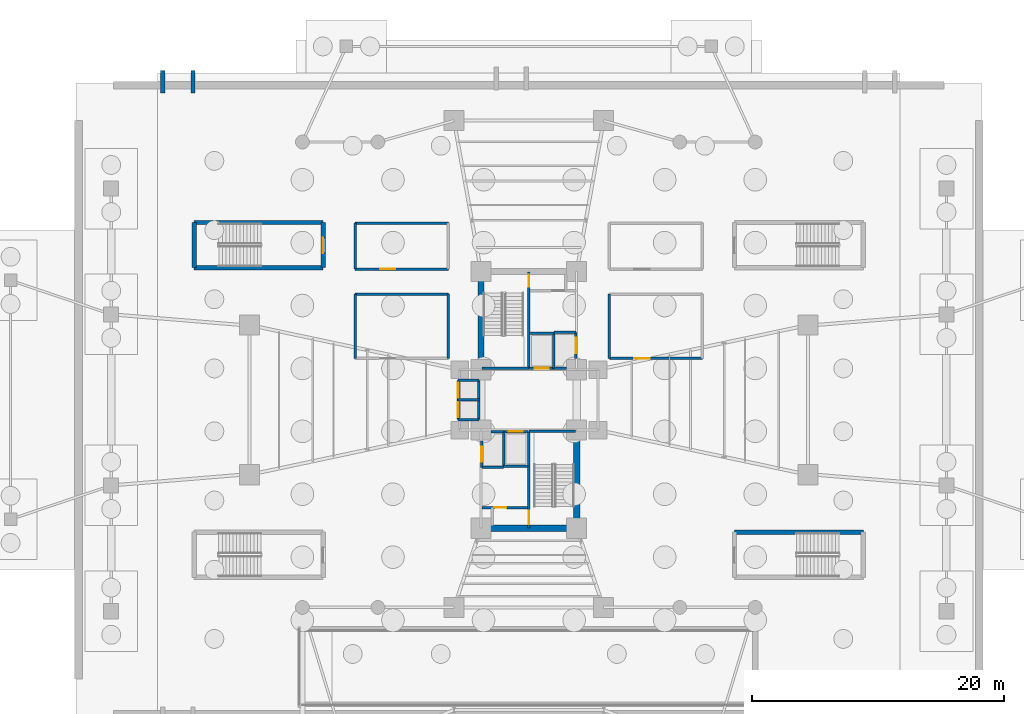
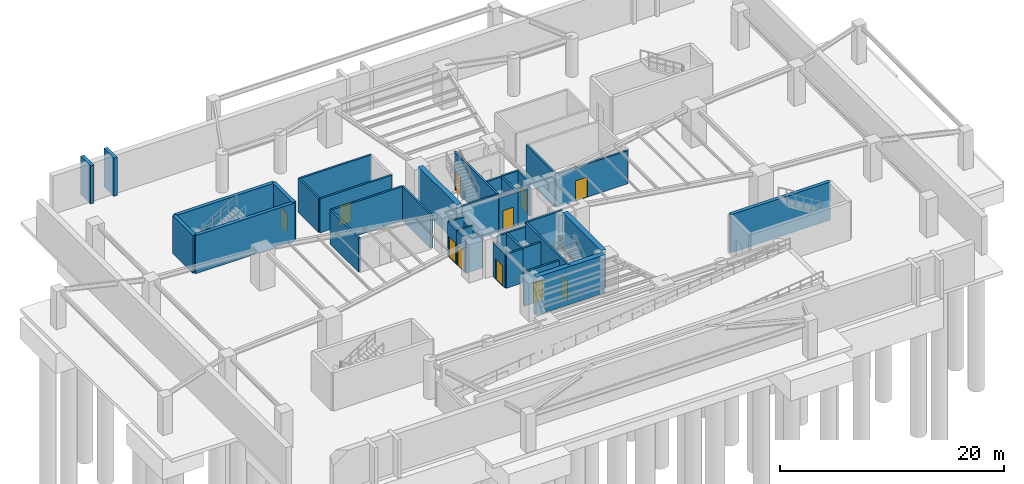
# One storey, part 8 of 15: 41 walls, 12 doors, 12 openings.
"""IFC4 building model written with IfcOpenShell, lengths in metres."""

import ifcopenshell
import ifcopenshell.guid

model = None  # the IFC model being written
_history = None  # IfcOwnerHistory: only IFC2X3 demands one
_inside = {}  # id of a spatial element -> (the spatial element, [elements in it])
_under = {}  # id of a project, library or spatial element -> (it, [spatial elements below it])
_declared = {}  # id of a project -> (the project, [libraries it declares])
_typed = {}  # id of a type object -> (the type object, [elements of that type])
_made_of = {}  # id of a material, layer set ... -> (it, [elements and type objects made of it])


def new_model(schema):
    """Start an empty IFC model of exactly this schema.

    Asked for "IFC4X3", IfcOpenShell would pick the latest addendum, in which some entities
    have other attributes; the version numbers below select the first issue.
    IFC2X3 requires an IfcOwnerHistory on every rooted entity: one is made here for all.
    """
    global model, _history
    if schema == "IFC4X3":
        model = ifcopenshell.file(schema_version=(4, 3, 0, 0))
    else:
        model = ifcopenshell.file(schema=schema)
    _inside.clear()
    _under.clear()
    _declared.clear()
    _typed.clear()
    _made_of.clear()
    _history = None
    if model.schema == "IFC2X3":
        org = make("IfcOrganization", Name="unknown")
        user = make(
            "IfcPersonAndOrganization",
            ThePerson=make("IfcPerson", FamilyName="unknown"),
            TheOrganization=org,
        )
        app = make(
            "IfcApplication",
            ApplicationDeveloper=org,
            Version="unknown",
            ApplicationFullName="unknown",
            ApplicationIdentifier="unknown",
        )
        _history = make(
            "IfcOwnerHistory",
            OwningUser=user,
            OwningApplication=app,
            ChangeAction="ADDED",
            CreationDate=0,
        )
    return model


def make(cls, **values):
    """One entity of the class cls with the attributes given. An attribute that is None is left unset."""
    return model.create_entity(
        cls, **{name: value for name, value in values.items() if value is not None}
    )


def rooted(cls, **values):
    """An entity with a GlobalId (a new one), such as an element, a storey or a relation."""
    return make(cls, GlobalId=ifcopenshell.guid.new(), OwnerHistory=_history, **values)


def si_unit(unit_type, name, prefix=None):
    """IfcSIUnit, for example si_unit("LENGTHUNIT", "METRE", prefix="MILLI")."""
    return make("IfcSIUnit", UnitType=unit_type, Prefix=prefix, Name=name)


def assignment(units):
    """IfcUnitAssignment: the units of a project."""
    return None if units is None else make("IfcUnitAssignment", Units=units)


def point(xyz):
    """IfcCartesianPoint."""
    return None if xyz is None else make("IfcCartesianPoint", Coordinates=xyz)


def direction(xyz):
    """IfcDirection."""
    return None if xyz is None else make("IfcDirection", DirectionRatios=xyz)


def frame(location, z_axis=None, x_axis=None):
    """IfcAxis2Placement3D, a coordinate frame: its origin and axes. An axis left out is left unset."""
    return make(
        "IfcAxis2Placement3D",
        Location=point(location),
        Axis=direction(z_axis),
        RefDirection=direction(x_axis),
    )


def frame_2d(location, x_axis=None):
    """IfcAxis2Placement2D, a coordinate frame in the plane: its origin and x axis."""
    return make(
        "IfcAxis2Placement2D", Location=point(location), RefDirection=direction(x_axis)
    )


def origin():
    """The frame at (0, 0, 0) with its axes left unset."""
    return frame((0.0, 0.0, 0.0))


def origin_2d():
    """The frame at (0, 0) in the plane with its x axis left unset."""
    return frame_2d((0.0, 0.0))


def place(relative_to, where):
    """IfcLocalPlacement: puts the frame where relative to a parent placement (None: the world)."""
    return make(
        "IfcLocalPlacement", PlacementRelTo=relative_to, RelativePlacement=where
    )


def context(
    kind, dimensions, precision=None, world=None, true_north=None, identifier=None
):
    """IfcGeometricRepresentationContext, for example the 3D "Model" context."""
    return make(
        "IfcGeometricRepresentationContext",
        ContextIdentifier=identifier,
        ContextType=kind,
        CoordinateSpaceDimension=dimensions,
        Precision=precision,
        WorldCoordinateSystem=world,
        TrueNorth=true_north,
    )


def subcontext(parent, identifier, kind, view, scale=None):
    """IfcGeometricRepresentationSubContext, for example "Body" below "Model"."""
    return make(
        "IfcGeometricRepresentationSubContext",
        ContextIdentifier=identifier,
        ContextType=kind,
        ParentContext=parent,
        TargetScale=scale,
        TargetView=view,
    )


def project(units=None, contexts=None):
    """IfcProject with its units and contexts."""
    return rooted(
        "IfcProject",
        Name="project",
        RepresentationContexts=contexts,
        UnitsInContext=assignment(units),
    )


def spatial(cls, under=None, at=None, **own):
    """A site, building, storey or space (cls), placed at a placement, below another one or the project."""
    s = rooted(cls, ObjectPlacement=at, **own)
    if under is not None:
        _under.setdefault(under.id(), (under, []))[1].append(s)
    return s


def profile(cls, at=None, kind="AREA", **sizes):
    """A parametric profile (cls). Its sizes go by their IFC names, for example OverallWidth=200.0."""
    return make(cls, ProfileType=kind, Position=at, **sizes)


def rectangle(**sizes):
    """IfcRectangleProfileDef."""
    return profile("IfcRectangleProfileDef", **sizes)


def extrude(swept, where, along, depth):
    """IfcExtrudedAreaSolid: the profile swept, set in the frame where, extruded along a direction by depth."""
    return make(
        "IfcExtrudedAreaSolid",
        SweptArea=swept,
        Position=where,
        ExtrudedDirection=direction(along),
        Depth=depth,
    )


def shape(context_of_items, identifier, shape_type, items):
    """IfcShapeRepresentation: the items that make up one representation, for example the "Body"."""
    return make(
        "IfcShapeRepresentation",
        ContextOfItems=context_of_items,
        RepresentationIdentifier=identifier,
        RepresentationType=shape_type,
        Items=items,
    )


def source(mapping_origin, context_of_items, identifier, shape_type, items):
    """IfcRepresentationMap: a shape defined once, which mapped items show again and again."""
    return make(
        "IfcRepresentationMap",
        MappingOrigin=mapping_origin,
        MappedRepresentation=shape(context_of_items, identifier, shape_type, items),
    )


def transform(
    local_origin,
    x_axis=None,
    y_axis=None,
    z_axis=None,
    scale=None,
    scale2=None,
    scale3=None,
    uniform=True,
):
    """IfcCartesianTransformationOperator3D, or its non-uniform kind. x_axis, y_axis, z_axis: its Axis1, 2, 3."""
    if uniform:
        return make(
            "IfcCartesianTransformationOperator3D",
            Axis1=direction(x_axis),
            Axis2=direction(y_axis),
            LocalOrigin=point(local_origin),
            Scale=scale,
            Axis3=direction(z_axis),
        )
    return make(
        "IfcCartesianTransformationOperator3DnonUniform",
        Axis1=direction(x_axis),
        Axis2=direction(y_axis),
        LocalOrigin=point(local_origin),
        Scale=scale,
        Axis3=direction(z_axis),
        Scale2=scale2,
        Scale3=scale3,
    )


def mapped(mapping_source, mapping_target):
    """IfcMappedItem: shows the shape of a source again, moved by a transform."""
    return make(
        "IfcMappedItem", MappingSource=mapping_source, MappingTarget=mapping_target
    )


def material(Name=None, Category=None):
    """IfcMaterial."""
    return make("IfcMaterial", Name=Name, Category=Category)


def layer(
    of_material, thickness, ventilated=None, Name=None, Category=None, Priority=None
):
    """IfcMaterialLayer: one layer of a wall or slab, of a material (None: an air gap)."""
    return make(
        "IfcMaterialLayer",
        Material=of_material,
        LayerThickness=thickness,
        IsVentilated=ventilated,
        Name=Name,
        Category=Category,
        Priority=Priority,
    )


def layer_set(layers, Name=None):
    """IfcMaterialLayerSet."""
    return make("IfcMaterialLayerSet", MaterialLayers=layers, LayerSetName=Name)


def made_of(thing, what):
    """Note that an element or type object is made of a material, layer set ...; save() writes the relation."""
    if what is not None:
        _made_of.setdefault(what.id(), (what, []))[1].append(thing)
    return thing


def type_object(cls, material=None, **own):
    """A type object (cls), such as IfcWallType, which elements share."""
    return made_of(rooted(cls, **own), material)


def element(
    cls,
    number,
    at=None,
    inside=None,
    cuts=None,
    type_object=None,
    material=None,
    context=None,
    identifier="Body",
    shape_type=None,
    held_by="IfcProductDefinitionShape",
    body=None,
    shapes=None,
    **own,
):
    """One element of the class cls, such as IfcWall. Its Tag is "e" and its number.

    at: its placement. inside: the storey or other place that contains it. cuts: it is an
    opening in that element (IfcRelVoidsElement). A single representation is given by context,
    identifier, shape_type and body (its items); several are given by shapes. held_by: the class
    of the entity that holds the representations. save() writes the other relations.
    """
    e = rooted(cls, Tag="e%d" % number, ObjectPlacement=at, **own)
    if body is not None:
        shapes = [shape(context, identifier, shape_type, body)]
    if shapes is not None:
        e.Representation = make(held_by, Representations=shapes)
    if inside is not None:
        _inside.setdefault(inside.id(), (inside, []))[1].append(e)
    if cuts is not None:
        rooted(
            "IfcRelVoidsElement", RelatingBuildingElement=cuts, RelatedOpeningElement=e
        )
    if type_object is not None:
        _typed.setdefault(type_object.id(), (type_object, []))[1].append(e)
    return made_of(e, material)


def fill(opening, filler):
    """IfcRelFillsElement: the door or window that sits in an opening."""
    return rooted(
        "IfcRelFillsElement",
        RelatingOpeningElement=opening,
        RelatedBuildingElement=filler,
    )


def aggregate(whole, parts):
    """IfcRelAggregates: a whole, such as a stair, and the parts it consists of."""
    return rooted("IfcRelAggregates", RelatingObject=whole, RelatedObjects=parts)


def save(model, path):
    """Write the relations noted so far, then the file.

    IfcRelAggregates (storeys below a building ...), IfcRelContainedInSpatialStructure (elements
    in a storey), IfcRelDefinesByType, IfcRelAssociatesMaterial and IfcRelDeclares: one each for
    every whole, place, type object, material and project.
    """
    for whole, parts in _under.values():
        aggregate(whole, parts)
    for where, things in _inside.values():
        rooted(
            "IfcRelContainedInSpatialStructure",
            RelatedElements=things,
            RelatingStructure=where,
        )
    for kind, things in _typed.values():
        rooted("IfcRelDefinesByType", RelatedObjects=things, RelatingType=kind)
    for what, things in _made_of.values():
        rooted("IfcRelAssociatesMaterial", RelatedObjects=things, RelatingMaterial=what)
    for by, libraries in _declared.values():
        rooted("IfcRelDeclares", RelatingContext=by, RelatedDefinitions=libraries)
    model.write(path)


model = new_model("IFC4")

# Units and contexts
model_context = context("Model", 3, precision=1e-05, world=origin(), true_north=direction((0.0, 1.0)))
body_context = subcontext(model_context, "Body", "Model", "MODEL_VIEW")
ifc_project = project(units=[si_unit("LENGTHUNIT", "METRE"), si_unit("AREAUNIT", "SQUARE_METRE"), si_unit("VOLUMEUNIT", "CUBIC_METRE"), si_unit("PLANEANGLEUNIT", "RADIAN"), si_unit("MASSUNIT", "GRAM", prefix="KILO")], contexts=[model_context])

# Site, building, storey
site_placement = place(None, origin())
site = spatial("IfcSite", under=ifc_project, at=site_placement, CompositionType="ELEMENT")
building_placement = place(site_placement, origin())
building = spatial("IfcBuilding", under=site, at=building_placement, Name="Sahyath Konkavel Grand Hotel", CompositionType="ELEMENT")
storey_placement = place(building_placement, frame((0.0, 0.0, -9.0)))
storey = spatial("IfcBuildingStorey", under=building, at=storey_placement, Name="B2", CompositionType="ELEMENT", Elevation=-9.0)

# Walls
ifc_material_1 = material(Name="Concrete C40/50", Category="concrete")
ifc_layer_1 = layer(ifc_material_1, 0.35009765625)
ifc_layer_set_1 = layer_set([ifc_layer_1], Name="Concrete C40/50")
wall_type_1 = type_object("IfcWallType", Name="CWALL-350", PredefinedType="SHEAR", material=ifc_layer_set_1)
for number, where, z_axis, x_axis, name in (
    (1, (-29.10009765625, 24.39990234375, 0.0), (0.0, 0.0, 1.0), (0.0, 1.0, 0.0), "B2 Pedestrian Ramp Bearing Wall PR1-A"),
    (2, (-26.699951171875, 24.39990234375, 0.0), (0.0, 0.0, 1.0), (0.0, 1.0, 0.0), "B2 Pedestrian Ramp Bearing Wall PR1-B"),
):
    element("IfcWall", number, at=place(storey_placement, frame(where, z_axis=z_axis, x_axis=x_axis)), inside=storey, type_object=wall_type_1, Name=name, PredefinedType="SHEAR", context=body_context, shape_type="SweptSolid", body=[
        extrude(rectangle(XDim=1.800048828125, YDim=0.35009765625, at=frame_2d((0.89990234375, 0.0))), origin(), (0.0, 0.0, 1.0), 4.14990234375),
    ])
for number, where, z_axis, x_axis, name in (
    (3, (-26.60009765625, 14.10009765625, 0.0), (0.0, 0.0, 1.0), (1.0, 0.0, 0.0), "B2 Partition ST-P1-N"),
    (4, (-26.60009765625, 10.52001953125, 0.0), (0.0, 0.0, 1.0), (1.0, 0.0, 0.0), "B2 Partition ST-P1-S"),
):
    element("IfcWall", number, at=place(storey_placement, frame(where, z_axis=z_axis, x_axis=x_axis)), inside=storey, type_object=wall_type_1, Name=name, PredefinedType="SHEAR", context=body_context, shape_type="SweptSolid", body=[
        extrude(rectangle(XDim=10.25, YDim=0.35009765625, at=frame_2d((5.125, 0.0))), origin(), (0.0, 0.0, 1.0), 4.14990234375),
    ])
wall_1_placement = place(storey_placement, frame((-26.60009765625, 10.52001953125, 0.0), z_axis=(0.0, 0.0, 1.0), x_axis=(0.0, 1.0, 0.0)))
element("IfcWall", 5, at=wall_1_placement, inside=storey, type_object=wall_type_1, Name="B2 Partition ST-P1-W", PredefinedType="SHEAR", context=body_context, shape_type="SweptSolid", body=[
    extrude(rectangle(XDim=3.580078125, YDim=0.35009765625, at=frame_2d((1.7900390625, 0.0))), origin(), (0.0, 0.0, 1.0), 4.14990234375),
])

# Wall, opening, door
wall_2_placement = place(storey_placement, frame((-16.35009765625, 10.52001953125, 0.0), z_axis=(0.0, 0.0, 1.0), x_axis=(0.0, 1.0, 0.0)))
wall_2 = element("IfcWall", 6, at=wall_2_placement, inside=storey, type_object=wall_type_1, Name="B2 Partition ST-P1-E", PredefinedType="SHEAR", context=body_context, shape_type="SweptSolid", body=[
    extrude(rectangle(XDim=3.580078125, YDim=0.35009765625, at=frame_2d((1.7900390625, 0.0))), origin(), (0.0, 0.0, 1.0), 4.14990234375),
])
opening_1_placement = place(wall_2_placement, frame((1.14990234375, 0.0, 0.0)))
opening_1 = element("IfcOpeningElement", 7, at=opening_1_placement, cuts=wall_2, Name="Opening D-F12A", PredefinedType="OPENING", context=body_context, shape_type="SweptSolid", body=[
    extrude(rectangle(XDim=1.199951171875, YDim=2.199951171875, at=frame_2d((0.60009765625, 1.10009765625))), frame((0.0, 0.18505859375, 0.0), z_axis=(0.0, -1.0, 0.0), x_axis=(1.0, 0.0, 0.0)), (0.0, 0.0, 1.0), 0.3701171875),
])
ifc_material_2 = material(Name="Steel E350 Fire Door", Category="steel")
door_type_1 = type_object("IfcDoorType", Name="DR-FD120-1200", OperationType="NOTDEFINED", PredefinedType="DOOR", material=ifc_material_2)
shared_shape_1 = source(origin(), body_context, "Body", "SweptSolid", [
    extrude(rectangle(XDim=1.199951171875, YDim=0.050048828125, at=origin_2d()), origin(), (0.0, 0.0, 1.0), 2.199951171875),
])
door_1_placement = place(opening_1_placement, frame((0.60009765625, 0.0, 0.0)))
door_1 = element("IfcDoor", 8, at=door_1_placement, inside=storey, type_object=door_type_1, Name="B2 ST-P1 Fire Door", OperationType="SINGLE_SWING_RIGHT", OverallHeight=2.199951171875, OverallWidth=1.199951171875, PredefinedType="DOOR", context=body_context, shape_type="MappedRepresentation", body=[
    mapped(shared_shape_1, transform((0.0, 0.0, 0.0), scale=1.0)),
])
fill(opening_1, door_1)

# Walls
wall_3_placement = place(storey_placement, frame((16.35009765625, -10.52001953125, 0.0), z_axis=(0.0, 0.0, 1.0), x_axis=(1.0, 0.0, 0.0)))
element("IfcWall", 9, at=wall_3_placement, inside=storey, type_object=wall_type_1, Name="B2 Partition ST-P4-N", PredefinedType="SHEAR", context=body_context, shape_type="SweptSolid", body=[
    extrude(rectangle(XDim=10.25, YDim=0.35009765625, at=frame_2d((5.125, 0.0))), origin(), (0.0, 0.0, 1.0), 4.14990234375),
])
ifc_material_3 = material(Name="Concrete C70/85", Category="concrete")
ifc_layer_2 = layer(ifc_material_3, 0.5)
ifc_layer_set_2 = layer_set([ifc_layer_2], Name="Concrete C70/85")
wall_type_2 = type_object("IfcWallType", Name="CWALL-500", PredefinedType="SHEAR", material=ifc_layer_set_2)
wall_4_placement = place(storey_placement, frame((-3.800048828125, 2.85009765625, 0.0), z_axis=(0.0, 0.0, 1.0), x_axis=(0.0, 1.0, 0.0)))
element("IfcWall", 10, at=wall_4_placement, inside=storey, type_object=wall_type_2, Name="B2 North Core Shear Wall W", PredefinedType="SHEAR", context=body_context, shape_type="SweptSolid", body=[
    extrude(rectangle(XDim=6.89990234375, YDim=0.5, at=frame_2d((3.449951171875, 0.0))), origin(), (0.0, 0.0, 1.0), 4.14990234375),
])
wall_5_placement = place(storey_placement, frame((-3.550048828125, -10.199951171875, 0.0), z_axis=(0.0, 0.0, 1.0), x_axis=(1.0, 0.0, 0.0)))
element("IfcWall", 11, at=wall_5_placement, inside=storey, type_object=wall_type_2, Name="B2 South Core Shear Wall S", PredefinedType="SHEAR", context=body_context, shape_type="SweptSolid", body=[
    extrude(rectangle(XDim=7.10009765625, YDim=0.5, at=frame_2d((3.550048828125, 0.0))), origin(), (0.0, 0.0, 1.0), 4.14990234375),
])
wall_6_placement = place(storey_placement, frame((3.800048828125, -9.75, 0.0), z_axis=(0.0, 0.0, 1.0), x_axis=(0.0, 1.0, 0.0)))
element("IfcWall", 12, at=wall_6_placement, inside=storey, type_object=wall_type_2, Name="B2 South Core Shear Wall E", PredefinedType="SHEAR", context=body_context, shape_type="SweptSolid", body=[
    extrude(rectangle(XDim=6.89990234375, YDim=0.5, at=frame_2d((3.449951171875, 0.0))), origin(), (0.0, 0.0, 1.0), 4.14990234375),
])

# Wall, opening, door
ifc_layer_3 = layer(ifc_material_1, 0.199951171875)
ifc_layer_set_3 = layer_set([ifc_layer_3], Name="Concrete C40/50")
wall_type_3 = type_object("IfcWallType", Name="WLL-CORE-200", PredefinedType="SOLIDWALL", material=ifc_layer_set_3)
wall_7_placement = place(storey_placement, frame((0.0, 2.5, 0.0), z_axis=(0.0, 0.0, 1.0), x_axis=(0.0, 1.0, 0.0)))
wall_7 = element("IfcWall", 13, at=wall_7_placement, inside=storey, type_object=wall_type_3, Name="B2 Stair ST-1 Shaft Wall E", PredefinedType="SOLIDWALL", context=body_context, shape_type="SweptSolid", body=[
    extrude(rectangle(XDim=7.679931640625, YDim=0.199951171875, at=frame_2d((3.83984375, 0.0))), origin(), (0.0, 0.0, 1.0), 4.14990234375),
])
opening_2_placement = place(wall_7_placement, frame((6.5, 0.0, 0.0)))
opening_2 = element("IfcOpeningElement", 14, at=opening_2_placement, cuts=wall_7, Name="Opening D-F12C", PredefinedType="OPENING", context=body_context, shape_type="SweptSolid", body=[
    extrude(rectangle(XDim=0.949951171875, YDim=2.14990234375, at=frame_2d((0.47509765625, 1.074951171875))), frame((0.0, 0.10986328125, 0.0), z_axis=(0.0, -1.0, 0.0), x_axis=(1.0, 0.0, 0.0)), (0.0, 0.0, 1.0), 0.219970703125),
])
ifc_material_4 = material(Name="Steel E350 Plant Fire Door", Category="steel")
door_type_2 = type_object("IfcDoorType", Name="DR-FD120-950", OperationType="NOTDEFINED", PredefinedType="DOOR", material=ifc_material_4)
shared_shape_2 = source(origin(), body_context, "Body", "SweptSolid", [
    extrude(rectangle(XDim=0.949951171875, YDim=0.050048828125, at=origin_2d()), origin(), (0.0, 0.0, 1.0), 2.14990234375),
])
door_2_placement = place(opening_2_placement, frame((0.47509765625, 0.0, 0.0)))
door_2 = element("IfcDoor", 15, at=door_2_placement, inside=storey, type_object=door_type_2, Name="B2 Stair ST-1 Fire Door", OperationType="SINGLE_SWING_RIGHT", OverallHeight=2.14990234375, OverallWidth=0.949951171875, PredefinedType="DOOR", context=body_context, shape_type="MappedRepresentation", body=[
    mapped(shared_shape_2, transform((0.0, 0.0, 0.0), scale=1.0)),
])
fill(opening_2, door_2)

# Wall
wall_8_placement = place(storey_placement, frame((-3.719970703125, 2.5, 0.0), z_axis=(0.0, 0.0, 1.0), x_axis=(1.0, 0.0, 0.0)))
element("IfcWall", 16, at=wall_8_placement, inside=storey, type_object=wall_type_3, Name="B2 Stair ST-1 Shaft Wall S", PredefinedType="SOLIDWALL", context=body_context, shape_type="SweptSolid", body=[
    extrude(rectangle(XDim=3.719970703125, YDim=0.199951171875, at=frame_2d((1.85986328125, 0.0))), origin(), (0.0, 0.0, 1.0), 4.14990234375),
])

# Wall, opening, door
wall_9_placement = place(storey_placement, frame((0.0, -10.179931640625, 0.0), z_axis=(0.0, 0.0, 1.0), x_axis=(0.0, 1.0, 0.0)))
wall_9 = element("IfcWall", 17, at=wall_9_placement, inside=storey, type_object=wall_type_3, Name="B2 Stair ST-2 Shaft Wall W", PredefinedType="SOLIDWALL", context=body_context, shape_type="SweptSolid", body=[
    extrude(rectangle(XDim=7.679931640625, YDim=0.199951171875, at=frame_2d((3.83984375, 0.0))), origin(), (0.0, 0.0, 1.0), 4.14990234375),
])
opening_3_placement = place(wall_9_placement, frame((0.280029296875, 0.0, 0.0)))
opening_3 = element("IfcOpeningElement", 18, at=opening_3_placement, cuts=wall_9, Name="Opening D-F12B", PredefinedType="OPENING", context=body_context, shape_type="SweptSolid", body=[
    extrude(rectangle(XDim=1.10009765625, YDim=2.14990234375, at=frame_2d((0.550048828125, 1.074951171875))), frame((0.0, 0.10986328125, 0.0), z_axis=(0.0, -1.0, 0.0), x_axis=(1.0, 0.0, 0.0)), (0.0, 0.0, 1.0), 0.219970703125),
])
ifc_material_5 = material(Name="Steel E350 Smokeproof Fire Door", Category="steel")
door_type_3 = type_object("IfcDoorType", Name="DR-FD120-1100", OperationType="NOTDEFINED", PredefinedType="DOOR", material=ifc_material_5)
shared_shape_3 = source(origin(), body_context, "Body", "SweptSolid", [
    extrude(rectangle(XDim=1.10009765625, YDim=0.050048828125, at=origin_2d()), origin(), (0.0, 0.0, 1.0), 2.14990234375),
])
door_3_placement = place(opening_3_placement, frame((0.550048828125, 0.0, 0.0)))
door_3 = element("IfcDoor", 19, at=door_3_placement, inside=storey, type_object=door_type_3, Name="B2 Stair ST-2 Fire Door", OperationType="SINGLE_SWING_RIGHT", OverallHeight=2.14990234375, OverallWidth=1.10009765625, PredefinedType="DOOR", context=body_context, shape_type="MappedRepresentation", body=[
    mapped(shared_shape_3, transform((0.0, 0.0, 0.0), scale=1.0)),
])
fill(opening_3, door_3)

# Walls
wall_10_placement = place(storey_placement, frame((0.0, -2.5, 0.0), z_axis=(0.0, 0.0, 1.0), x_axis=(1.0, 0.0, 0.0)))
element("IfcWall", 20, at=wall_10_placement, inside=storey, type_object=wall_type_3, Name="B2 Stair ST-2 Shaft Wall N", PredefinedType="SOLIDWALL", context=body_context, shape_type="SweptSolid", body=[
    extrude(rectangle(XDim=3.719970703125, YDim=0.199951171875, at=frame_2d((1.85986328125, 0.0))), origin(), (0.0, 0.0, 1.0), 4.14990234375),
])
wall_11_placement = place(storey_placement, frame((2.0, 2.5, 0.0), z_axis=(0.0, 0.0, 1.0), x_axis=(0.0, 1.0, 0.0)))
element("IfcWall", 21, at=wall_11_placement, inside=storey, type_object=wall_type_3, Name="B2 Partition SH-FFL1-E", PredefinedType="SOLIDWALL", context=body_context, shape_type="SweptSolid", body=[
    extrude(rectangle(XDim=2.780029296875, YDim=0.199951171875, at=frame_2d((1.39013671875, 0.0))), origin(), (0.0, 0.0, 1.0), 3.699951171875),
])
wall_12_placement = place(storey_placement, frame((0.050048828125, 5.280029296875, 0.0), z_axis=(0.0, 0.0, 1.0), x_axis=(1.0, 0.0, 0.0)))
element("IfcWall", 22, at=wall_12_placement, inside=storey, type_object=wall_type_3, Name="B2 Partition SH-FFL1-N", PredefinedType="SOLIDWALL", context=body_context, shape_type="SweptSolid", body=[
    extrude(rectangle(XDim=1.949951171875, YDim=0.199951171875, at=frame_2d((0.97509765625, 0.0))), origin(), (0.0, 0.0, 1.0), 3.699951171875),
])

# Wall, opening, door
wall_13_placement = place(storey_placement, frame((0.050048828125, 2.52001953125, 0.0), z_axis=(0.0, 0.0, 1.0), x_axis=(1.0, 0.0, 0.0)))
wall_13 = element("IfcWall", 23, at=wall_13_placement, inside=storey, type_object=wall_type_3, Name="B2 Partition SH-FFL1-S", PredefinedType="SOLIDWALL", context=body_context, shape_type="SweptSolid", body=[
    extrude(rectangle(XDim=1.949951171875, YDim=0.199951171875, at=frame_2d((0.97509765625, 0.0))), origin(), (0.0, 0.0, 1.0), 3.699951171875),
])
opening_4_placement = place(wall_13_placement, frame((0.419921875, 0.0, 0.0)))
opening_4 = element("IfcOpeningElement", 24, at=opening_4_placement, cuts=wall_13, Name="Opening LD-11", PredefinedType="OPENING", context=body_context, shape_type="SweptSolid", body=[
    extrude(rectangle(XDim=1.10009765625, YDim=2.199951171875, at=frame_2d((0.550048828125, 1.10009765625))), frame((0.0, 0.10986328125, 0.0), z_axis=(0.0, -1.0, 0.0), x_axis=(1.0, 0.0, 0.0)), (0.0, 0.0, 1.0), 0.219970703125),
])
ifc_material_6 = material(Name="Bronze Lift Landing Door 1100")
door_type_4 = type_object("IfcDoorType", Name="DR-LIFT-1100", OperationType="DOUBLE_DOOR_SLIDING", PredefinedType="DOOR", material=ifc_material_6)
shared_shape_4 = source(origin(), body_context, "Body", "SweptSolid", [
    extrude(rectangle(XDim=1.10009765625, YDim=0.050048828125, at=origin_2d()), origin(), (0.0, 0.0, 1.0), 2.199951171875),
])
door_4_placement = place(opening_4_placement, frame((0.550048828125, 0.0, 0.0)))
door_4 = element("IfcDoor", 25, at=door_4_placement, inside=storey, type_object=door_type_4, Name="B2 Lift FFL-1 Landing Door", OperationType="DOUBLE_DOOR_SLIDING", OverallHeight=2.199951171875, OverallWidth=1.10009765625, PredefinedType="DOOR", context=body_context, shape_type="MappedRepresentation", body=[
    mapped(shared_shape_4, transform((0.0, 0.0, 0.0), scale=1.0)),
])
fill(opening_4, door_4)

# Walls
wall_14_placement = place(storey_placement, frame((-2.0, -5.280029296875, 0.0), z_axis=(0.0, 0.0, 1.0), x_axis=(0.0, 1.0, 0.0)))
element("IfcWall", 26, at=wall_14_placement, inside=storey, type_object=wall_type_3, Name="B2 Partition SH-FFL2-W", PredefinedType="SOLIDWALL", context=body_context, shape_type="SweptSolid", body=[
    extrude(rectangle(XDim=2.780029296875, YDim=0.199951171875, at=frame_2d((1.39013671875, 0.0))), origin(), (0.0, 0.0, 1.0), 3.699951171875),
])
wall_15_placement = place(storey_placement, frame((-2.0, -5.280029296875, 0.0), z_axis=(0.0, 0.0, 1.0), x_axis=(1.0, 0.0, 0.0)))
element("IfcWall", 27, at=wall_15_placement, inside=storey, type_object=wall_type_3, Name="B2 Partition SH-FFL2-S", PredefinedType="SOLIDWALL", context=body_context, shape_type="SweptSolid", body=[
    extrude(rectangle(XDim=1.949951171875, YDim=0.199951171875, at=frame_2d((0.97509765625, 0.0))), origin(), (0.0, 0.0, 1.0), 3.699951171875),
])

# Wall, opening, door
wall_16_placement = place(storey_placement, frame((-2.0, -2.52001953125, 0.0), z_axis=(0.0, 0.0, 1.0), x_axis=(1.0, 0.0, 0.0)))
wall_16 = element("IfcWall", 28, at=wall_16_placement, inside=storey, type_object=wall_type_3, Name="B2 Partition SH-FFL2-N", PredefinedType="SOLIDWALL", context=body_context, shape_type="SweptSolid", body=[
    extrude(rectangle(XDim=1.949951171875, YDim=0.199951171875, at=frame_2d((0.97509765625, 0.0))), origin(), (0.0, 0.0, 1.0), 3.699951171875),
])
opening_5_placement = place(wall_16_placement, frame((0.419921875, 0.0, 0.0)))
opening_5 = element("IfcOpeningElement", 29, at=opening_5_placement, cuts=wall_16, Name="Opening LD-11", PredefinedType="OPENING", context=body_context, shape_type="SweptSolid", body=[
    extrude(rectangle(XDim=1.10009765625, YDim=2.199951171875, at=frame_2d((0.550048828125, 1.10009765625))), frame((0.0, 0.10986328125, 0.0), z_axis=(0.0, -1.0, 0.0), x_axis=(1.0, 0.0, 0.0)), (0.0, 0.0, 1.0), 0.219970703125),
])
door_5_placement = place(opening_5_placement, frame((0.550048828125, 0.0, 0.0)))
door_5 = element("IfcDoor", 30, at=door_5_placement, inside=storey, type_object=door_type_4, Name="B2 Lift FFL-2 Landing Door", OperationType="DOUBLE_DOOR_SLIDING", OverallHeight=2.199951171875, OverallWidth=1.10009765625, PredefinedType="DOOR", context=body_context, shape_type="MappedRepresentation", body=[
    mapped(shared_shape_4, transform((0.0, 0.0, 0.0), scale=1.0)),
])
fill(opening_5, door_5)

# Walls
wall_17_placement = place(storey_placement, frame((2.0, 2.52001953125, 0.0), z_axis=(0.0, 0.0, 1.0), x_axis=(1.0, 0.0, 0.0)))
element("IfcWall", 31, at=wall_17_placement, inside=storey, type_object=wall_type_3, Name="B2 Partition SH-SVL1-S", PredefinedType="SOLIDWALL", context=body_context, shape_type="SweptSolid", body=[
    extrude(rectangle(XDim=1.0, YDim=0.199951171875, at=frame_2d((0.5, 0.0))), origin(), (0.0, 0.0, 1.0), 3.699951171875),
])
wall_18_placement = place(storey_placement, frame((2.0, 5.360107421875, 0.0), z_axis=(0.0, 0.0, 1.0), x_axis=(1.0, 0.0, 0.0)))
element("IfcWall", 32, at=wall_18_placement, inside=storey, type_object=wall_type_3, Name="B2 Partition SH-SVL1-N", PredefinedType="SOLIDWALL", context=body_context, shape_type="SweptSolid", body=[
    extrude(rectangle(XDim=1.739990234375, YDim=0.199951171875, at=frame_2d((0.8701171875, 0.0))), origin(), (0.0, 0.0, 1.0), 3.699951171875),
])

# Wall, opening, door
wall_19_placement = place(storey_placement, frame((3.739990234375, 3.280029296875, 0.0), z_axis=(0.0, 0.0, 1.0), x_axis=(0.0, 1.0, 0.0)))
wall_19 = element("IfcWall", 33, at=wall_19_placement, inside=storey, type_object=wall_type_3, Name="B2 Partition SH-SVL1-E", PredefinedType="SOLIDWALL", context=body_context, shape_type="SweptSolid", body=[
    extrude(rectangle(XDim=2.080078125, YDim=0.199951171875, at=frame_2d((1.0400390625, 0.0))), origin(), (0.0, 0.0, 1.0), 3.699951171875),
])
opening_6_placement = place(wall_19_placement, frame((0.43994140625, 0.0, 0.0)))
opening_6 = element("IfcOpeningElement", 34, at=opening_6_placement, cuts=wall_19, Name="Opening LD-12", PredefinedType="OPENING", context=body_context, shape_type="SweptSolid", body=[
    extrude(rectangle(XDim=1.199951171875, YDim=2.199951171875, at=frame_2d((0.60009765625, 1.10009765625))), frame((0.0, 0.10986328125, 0.0), z_axis=(0.0, -1.0, 0.0), x_axis=(1.0, 0.0, 0.0)), (0.0, 0.0, 1.0), 0.219970703125),
])
ifc_material_7 = material(Name="Stainless Steel Lift Landing Door 1200", Category="steel")
door_type_5 = type_object("IfcDoorType", Name="DR-LIFT-1200", OperationType="DOUBLE_DOOR_SLIDING", PredefinedType="DOOR", material=ifc_material_7)
door_6_placement = place(opening_6_placement, frame((0.60009765625, 0.0, 0.0)))
door_6 = element("IfcDoor", 35, at=door_6_placement, inside=storey, type_object=door_type_5, Name="B2 Service Lift SVL-1 Landing Door", OperationType="DOUBLE_DOOR_SLIDING", OverallHeight=2.199951171875, OverallWidth=1.199951171875, PredefinedType="DOOR", context=body_context, shape_type="MappedRepresentation", body=[
    mapped(shared_shape_1, transform((0.0, 0.0, 0.0), scale=1.0)),
])
fill(opening_6, door_6)

# Walls
wall_20_placement = place(storey_placement, frame((-3.0, -2.52001953125, 0.0), z_axis=(0.0, 0.0, 1.0), x_axis=(1.0, 0.0, 0.0)))
element("IfcWall", 36, at=wall_20_placement, inside=storey, type_object=wall_type_3, Name="B2 Partition SH-SVL2-N", PredefinedType="SOLIDWALL", context=body_context, shape_type="SweptSolid", body=[
    extrude(rectangle(XDim=1.0, YDim=0.199951171875, at=frame_2d((0.5, 0.0))), origin(), (0.0, 0.0, 1.0), 3.699951171875),
])
wall_21_placement = place(storey_placement, frame((-3.739990234375, -5.360107421875, 0.0), z_axis=(0.0, 0.0, 1.0), x_axis=(1.0, 0.0, 0.0)))
element("IfcWall", 37, at=wall_21_placement, inside=storey, type_object=wall_type_3, Name="B2 Partition SH-SVL2-S", PredefinedType="SOLIDWALL", context=body_context, shape_type="SweptSolid", body=[
    extrude(rectangle(XDim=1.739990234375, YDim=0.199951171875, at=frame_2d((0.8701171875, 0.0))), origin(), (0.0, 0.0, 1.0), 3.699951171875),
])

# Wall, opening, door
wall_22_placement = place(storey_placement, frame((-3.739990234375, -5.360107421875, 0.0), z_axis=(0.0, 0.0, 1.0), x_axis=(0.0, 1.0, 0.0)))
wall_22 = element("IfcWall", 38, at=wall_22_placement, inside=storey, type_object=wall_type_3, Name="B2 Partition SH-SVL2-W", PredefinedType="SOLIDWALL", context=body_context, shape_type="SweptSolid", body=[
    extrude(rectangle(XDim=2.080078125, YDim=0.199951171875, at=frame_2d((1.0400390625, 0.0))), origin(), (0.0, 0.0, 1.0), 3.699951171875),
])
opening_7_placement = place(wall_22_placement, frame((0.43994140625, 0.0, 0.0)))
opening_7 = element("IfcOpeningElement", 39, at=opening_7_placement, cuts=wall_22, Name="Opening LD-12", PredefinedType="OPENING", context=body_context, shape_type="SweptSolid", body=[
    extrude(rectangle(XDim=1.199951171875, YDim=2.199951171875, at=frame_2d((0.60009765625, 1.10009765625))), frame((0.0, 0.10986328125, 0.0), z_axis=(0.0, -1.0, 0.0), x_axis=(1.0, 0.0, 0.0)), (0.0, 0.0, 1.0), 0.219970703125),
])
door_7_placement = place(opening_7_placement, frame((0.60009765625, 0.0, 0.0)))
door_7 = element("IfcDoor", 40, at=door_7_placement, inside=storey, type_object=door_type_5, Name="B2 Service Lift SVL-2 Landing Door", OperationType="DOUBLE_DOOR_SLIDING", OverallHeight=2.199951171875, OverallWidth=1.199951171875, PredefinedType="DOOR", context=body_context, shape_type="MappedRepresentation", body=[
    mapped(shared_shape_1, transform((0.0, 0.0, 0.0), scale=1.0)),
])
fill(opening_7, door_7)

# Walls
wall_23_placement = place(storey_placement, frame((-3.97998046875, -1.56005859375, 0.0), z_axis=(0.0, 0.0, 1.0), x_axis=(0.0, 1.0, 0.0)))
element("IfcWall", 41, at=wall_23_placement, inside=storey, type_object=wall_type_3, Name="B2 Partition SH-SL12-E", PredefinedType="SOLIDWALL", context=body_context, shape_type="SweptSolid", body=[
    extrude(rectangle(XDim=3.1201171875, YDim=0.199951171875, at=frame_2d((1.56005859375, 0.0))), origin(), (0.0, 0.0, 1.0), 3.219970703125),
])
for number, where, z_axis, x_axis, name in (
    (42, (-5.6201171875, 1.56005859375, 0.0), (0.0, 0.0, 1.0), (1.0, 0.0, 0.0), "B2 Partition SH-SL12-N"),
    (43, (-5.6201171875, -1.56005859375, 0.0), (0.0, 0.0, 1.0), (1.0, 0.0, 0.0), "B2 Partition SH-SL12-S"),
    (44, (-5.6201171875, 0.0, 0.0), (0.0, 0.0, 1.0), (1.0, 0.0, 0.0), "B2 Partition SH-SL12-M"),
):
    element("IfcWall", number, at=place(storey_placement, frame(where, z_axis=z_axis, x_axis=x_axis)), inside=storey, type_object=wall_type_3, Name=name, PredefinedType="SOLIDWALL", context=body_context, shape_type="SweptSolid", body=[
        extrude(rectangle(XDim=1.64013671875, YDim=0.199951171875, at=frame_2d((0.820068359375, 0.0))), origin(), (0.0, 0.0, 1.0), 3.699951171875),
    ])

# Wall, opening, door
wall_24_placement = place(storey_placement, frame((-5.6201171875, 0.0, 0.0), z_axis=(0.0, 0.0, 1.0), x_axis=(0.0, 1.0, 0.0)))
wall_24 = element("IfcWall", 45, at=wall_24_placement, inside=storey, type_object=wall_type_3, Name="B2 Partition SH-SL1-W", PredefinedType="SOLIDWALL", context=body_context, shape_type="SweptSolid", body=[
    extrude(rectangle(XDim=1.56005859375, YDim=0.199951171875, at=frame_2d((0.780029296875, 0.0))), origin(), (0.0, 0.0, 1.0), 3.699951171875),
])
opening_8_placement = place(wall_24_placement, frame((0.179931640625, 0.0, 0.0)))
opening_8 = element("IfcOpeningElement", 46, at=opening_8_placement, cuts=wall_24, Name="Opening LD-12", PredefinedType="OPENING", context=body_context, shape_type="SweptSolid", body=[
    extrude(rectangle(XDim=1.199951171875, YDim=2.199951171875, at=frame_2d((0.60009765625, 1.10009765625))), frame((0.0, 0.10986328125, 0.0), z_axis=(0.0, -1.0, 0.0), x_axis=(1.0, 0.0, 0.0)), (0.0, 0.0, 1.0), 0.219970703125),
])
door_8_placement = place(opening_8_placement, frame((0.60009765625, 0.0, 0.0)))
door_8 = element("IfcDoor", 47, at=door_8_placement, inside=storey, type_object=door_type_5, Name="B2 Express Shuttle SL-1 Landing Door", OperationType="DOUBLE_DOOR_SLIDING", OverallHeight=2.199951171875, OverallWidth=1.199951171875, PredefinedType="DOOR", context=body_context, shape_type="MappedRepresentation", body=[
    mapped(shared_shape_1, transform((0.0, 0.0, 0.0), scale=1.0)),
])
fill(opening_8, door_8)

wall_25_placement = place(storey_placement, frame((-5.6201171875, -1.56005859375, 0.0), z_axis=(0.0, 0.0, 1.0), x_axis=(0.0, 1.0, 0.0)))
wall_25 = element("IfcWall", 48, at=wall_25_placement, inside=storey, type_object=wall_type_3, Name="B2 Partition SH-SL2-W", PredefinedType="SOLIDWALL", context=body_context, shape_type="SweptSolid", body=[
    extrude(rectangle(XDim=1.56005859375, YDim=0.199951171875, at=frame_2d((0.780029296875, 0.0))), origin(), (0.0, 0.0, 1.0), 3.699951171875),
])
opening_9_placement = place(wall_25_placement, frame((0.179931640625, 0.0, 0.0)))
opening_9 = element("IfcOpeningElement", 49, at=opening_9_placement, cuts=wall_25, Name="Opening LD-12", PredefinedType="OPENING", context=body_context, shape_type="SweptSolid", body=[
    extrude(rectangle(XDim=1.199951171875, YDim=2.199951171875, at=frame_2d((0.60009765625, 1.10009765625))), frame((0.0, 0.10986328125, 0.0), z_axis=(0.0, -1.0, 0.0), x_axis=(1.0, 0.0, 0.0)), (0.0, 0.0, 1.0), 0.219970703125),
])
door_9_placement = place(opening_9_placement, frame((0.60009765625, 0.0, 0.0)))
door_9 = element("IfcDoor", 50, at=door_9_placement, inside=storey, type_object=door_type_5, Name="B2 Express Shuttle SL-2 Landing Door", OperationType="DOUBLE_DOOR_SLIDING", OverallHeight=2.199951171875, OverallWidth=1.199951171875, PredefinedType="DOOR", context=body_context, shape_type="MappedRepresentation", body=[
    mapped(shared_shape_1, transform((0.0, 0.0, 0.0), scale=1.0)),
])
fill(opening_9, door_9)

wall_26_placement = place(storey_placement, frame((-3.739990234375, -8.56005859375, 0.0), z_axis=(0.0, 0.0, 1.0), x_axis=(1.0, 0.0, 0.0)))
wall_26 = element("IfcWall", 51, at=wall_26_placement, inside=storey, type_object=wall_type_3, Name="B2 South FF Lobby Separation Wall", PredefinedType="SOLIDWALL", context=body_context, shape_type="SweptSolid", body=[
    extrude(rectangle(XDim=3.619873046875, YDim=0.199951171875, at=frame_2d((1.81005859375, 0.0))), origin(), (0.0, 0.0, 1.0), 3.699951171875),
])
opening_10_placement = place(wall_26_placement, frame((1.0, 0.0, 0.0)))
opening_10 = element("IfcOpeningElement", 52, at=opening_10_placement, cuts=wall_26, Name="Opening D-F12C", PredefinedType="OPENING", context=body_context, shape_type="SweptSolid", body=[
    extrude(rectangle(XDim=0.949951171875, YDim=2.14990234375, at=frame_2d((0.47509765625, 1.074951171875))), frame((0.0, 0.10986328125, 0.0), z_axis=(0.0, -1.0, 0.0), x_axis=(1.0, 0.0, 0.0)), (0.0, 0.0, 1.0), 0.219970703125),
])
door_10_placement = place(opening_10_placement, frame((0.47509765625, 0.0, 0.0)))
door_10 = element("IfcDoor", 53, at=door_10_placement, inside=storey, type_object=door_type_2, Name="B2 South Firefighting Lobby Door", OperationType="SINGLE_SWING_LEFT", OverallHeight=2.14990234375, OverallWidth=0.949951171875, PredefinedType="DOOR", context=body_context, shape_type="MappedRepresentation", body=[
    mapped(shared_shape_2, transform((0.0, 0.0, 0.0), scale=1.0)),
])
fill(opening_10, door_10)

# Walls
wall_27_placement = place(storey_placement, frame((-13.800048828125, 8.39990234375, 0.0), z_axis=(0.0, 0.0, 1.0), x_axis=(1.0, 0.0, 0.0)))
element("IfcWall", 54, at=wall_27_placement, inside=storey, type_object=wall_type_3, Name="B2 Partition B2-FWT-N", PredefinedType="SOLIDWALL", context=body_context, shape_type="SweptSolid", body=[
    extrude(rectangle(XDim=7.400146484375, YDim=0.199951171875, at=frame_2d((3.7001953125, 0.0))), origin(), (0.0, 0.0, 1.0), 3.699951171875),
])
for number, where, z_axis, x_axis, name in (
    (55, (-13.800048828125, 3.300048828125, 0.0), (0.0, 0.0, 1.0), (0.0, 1.0, 0.0), "B2 Partition B2-FWT-W"),
    (56, (-6.39990234375, 3.300048828125, 0.0), (0.0, 0.0, 1.0), (0.0, 1.0, 0.0), "B2 Partition B2-FWT-E"),
):
    element("IfcWall", number, at=place(storey_placement, frame(where, z_axis=z_axis, x_axis=x_axis)), inside=storey, type_object=wall_type_3, Name=name, PredefinedType="SOLIDWALL", context=body_context, shape_type="SweptSolid", body=[
        extrude(rectangle(XDim=5.099853515625, YDim=0.199951171875, at=frame_2d((2.5498046875, 0.0))), origin(), (0.0, 0.0, 1.0), 3.699951171875),
    ])

# Wall, opening, door
wall_28_placement = place(storey_placement, frame((6.39990234375, 3.300048828125, 0.0), z_axis=(0.0, 0.0, 1.0), x_axis=(1.0, 0.0, 0.0)))
wall_28 = element("IfcWall", 57, at=wall_28_placement, inside=storey, type_object=wall_type_3, Name="B2 Partition B2-DWT-S", PredefinedType="SOLIDWALL", context=body_context, shape_type="SweptSolid", body=[
    extrude(rectangle(XDim=7.400146484375, YDim=0.199951171875, at=frame_2d((3.7001953125, 0.0))), origin(), (0.0, 0.0, 1.0), 3.6201171875),
])
opening_11_placement = place(wall_28_placement, frame((2.0, 0.0, 0.0)))
opening_11 = element("IfcOpeningElement", 58, at=opening_11_placement, cuts=wall_28, Name="Opening D-F12A", PredefinedType="OPENING", context=body_context, shape_type="SweptSolid", body=[
    extrude(rectangle(XDim=1.199951171875, YDim=2.199951171875, at=frame_2d((0.60009765625, 1.10009765625))), frame((0.0, 0.10986328125, 0.0), z_axis=(0.0, -1.0, 0.0), x_axis=(1.0, 0.0, 0.0)), (0.0, 0.0, 1.0), 0.219970703125),
])
door_11_placement = place(opening_11_placement, frame((0.60009765625, 0.0, 0.0)))
door_11 = element("IfcDoor", 59, at=door_11_placement, inside=storey, type_object=door_type_1, Name="B2 Door B2-DWT-D", OperationType="SINGLE_SWING_LEFT", OverallHeight=2.199951171875, OverallWidth=1.199951171875, PredefinedType="DOOR", context=body_context, shape_type="MappedRepresentation", body=[
    mapped(shared_shape_1, transform((0.0, 0.0, 0.0), scale=1.0)),
])
fill(opening_11, door_11)

# Walls
wall_29_placement = place(storey_placement, frame((6.39990234375, 3.300048828125, 0.0), z_axis=(0.0, 0.0, 1.0), x_axis=(0.0, 1.0, 0.0)))
element("IfcWall", 60, at=wall_29_placement, inside=storey, type_object=wall_type_3, Name="B2 Partition B2-DWT-W", PredefinedType="SOLIDWALL", context=body_context, shape_type="SweptSolid", body=[
    extrude(rectangle(XDim=5.099853515625, YDim=0.199951171875, at=frame_2d((2.5498046875, 0.0))), origin(), (0.0, 0.0, 1.0), 3.699951171875),
])
wall_30_placement = place(storey_placement, frame((-13.800048828125, 14.050048828125, 0.0), z_axis=(0.0, 0.0, 1.0), x_axis=(1.0, 0.0, 0.0)))
element("IfcWall", 61, at=wall_30_placement, inside=storey, type_object=wall_type_3, Name="B2 Partition B2-STP-N", PredefinedType="SOLIDWALL", context=body_context, shape_type="SweptSolid", body=[
    extrude(rectangle(XDim=7.400146484375, YDim=0.199951171875, at=frame_2d((3.7001953125, 0.0))), origin(), (0.0, 0.0, 1.0), 3.699951171875),
])

# Wall, opening, door
wall_31_placement = place(storey_placement, frame((-13.800048828125, 10.39990234375, 0.0), z_axis=(0.0, 0.0, 1.0), x_axis=(1.0, 0.0, 0.0)))
wall_31 = element("IfcWall", 62, at=wall_31_placement, inside=storey, type_object=wall_type_3, Name="B2 Partition B2-STP-S", PredefinedType="SOLIDWALL", context=body_context, shape_type="SweptSolid", body=[
    extrude(rectangle(XDim=7.400146484375, YDim=0.199951171875, at=frame_2d((3.7001953125, 0.0))), origin(), (0.0, 0.0, 1.0), 3.699951171875),
])
opening_12_placement = place(wall_31_placement, frame((2.0, 0.0, 0.0)))
opening_12 = element("IfcOpeningElement", 63, at=opening_12_placement, cuts=wall_31, Name="Opening D-F12A", PredefinedType="OPENING", context=body_context, shape_type="SweptSolid", body=[
    extrude(rectangle(XDim=1.199951171875, YDim=2.199951171875, at=frame_2d((0.60009765625, 1.10009765625))), frame((0.0, 0.10986328125, 0.0), z_axis=(0.0, -1.0, 0.0), x_axis=(1.0, 0.0, 0.0)), (0.0, 0.0, 1.0), 0.219970703125),
])
door_12_placement = place(opening_12_placement, frame((0.60009765625, 0.0, 0.0)))
door_12 = element("IfcDoor", 64, at=door_12_placement, inside=storey, type_object=door_type_1, Name="B2 Door B2-STP-D", OperationType="SINGLE_SWING_RIGHT", OverallHeight=2.199951171875, OverallWidth=1.199951171875, PredefinedType="DOOR", context=body_context, shape_type="MappedRepresentation", body=[
    mapped(shared_shape_1, transform((0.0, 0.0, 0.0), scale=1.0)),
])
fill(opening_12, door_12)

# Wall
wall_32_placement = place(storey_placement, frame((-13.800048828125, 10.39990234375, 0.0), z_axis=(0.0, 0.0, 1.0), x_axis=(0.0, 1.0, 0.0)))
element("IfcWall", 65, at=wall_32_placement, inside=storey, type_object=wall_type_3, Name="B2 Partition B2-STP-W", PredefinedType="SOLIDWALL", context=body_context, shape_type="SweptSolid", body=[
    extrude(rectangle(XDim=3.650146484375, YDim=0.199951171875, at=frame_2d((1.8251953125, 0.0))), origin(), (0.0, 0.0, 1.0), 3.699951171875),
])

save(model, "model.ifc")
